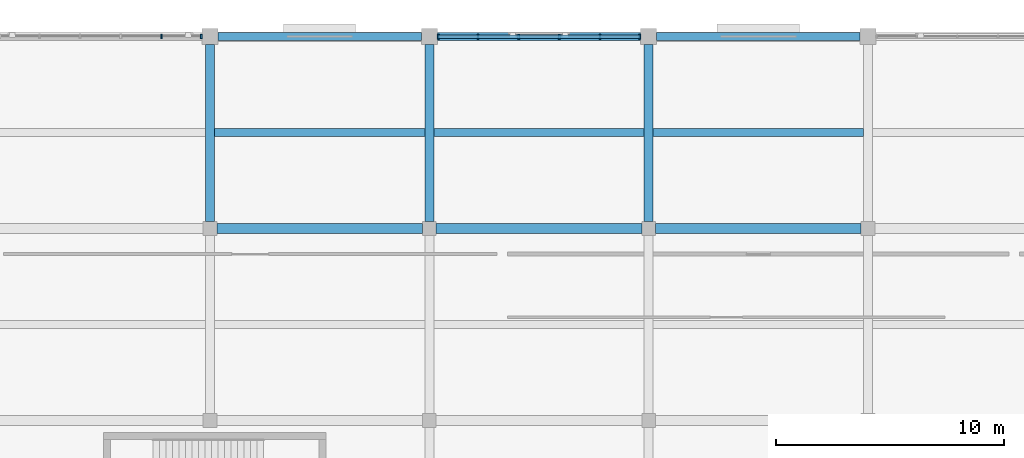
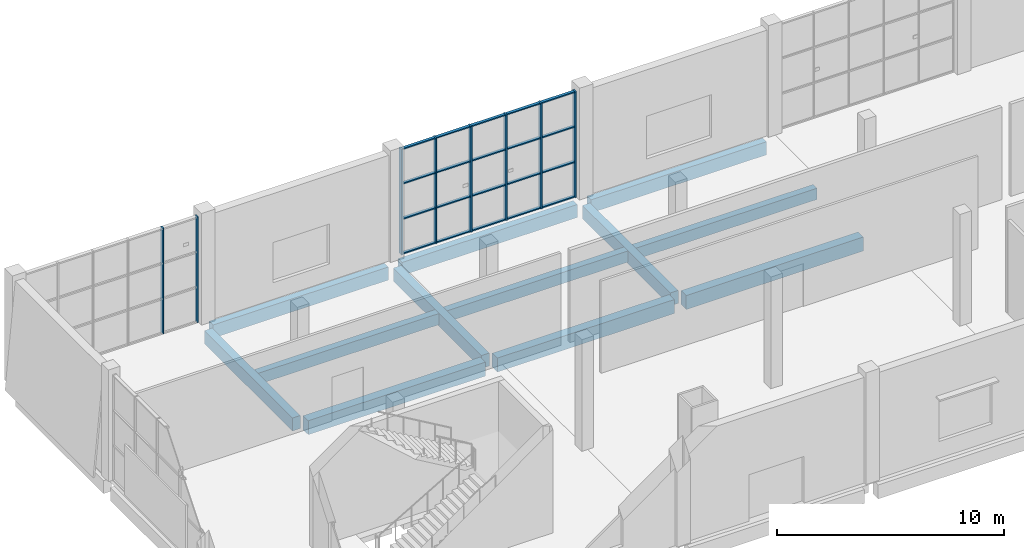
# One storey, part 31 of 84: 12 beams, 12 members, 2 elements without a shape of their own.
"""IFC4 building model written with IfcOpenShell, lengths in metres."""

from ifc_helpers import new_model, si_unit, direction, frame, origin, origin_2d, place, context, subcontext, project, spatial, rectangle, extrude, material, material_profile, profile_set, type_object, element, aggregate, save


model = new_model("IFC4")

# Units and contexts
model_context = context("Model", 3, precision=1e-05, world=origin(), true_north=direction((0.0, 1.0)))
body_context = subcontext(model_context, "Body", "Model", "MODEL_VIEW")
ifc_project = project(units=[si_unit("LENGTHUNIT", "METRE"), si_unit("AREAUNIT", "SQUARE_METRE"), si_unit("VOLUMEUNIT", "CUBIC_METRE"), si_unit("PLANEANGLEUNIT", "RADIAN"), si_unit("MASSUNIT", "GRAM", prefix="KILO")], contexts=[model_context])

# Site, building, storey
site_placement = place(None, origin())
site = spatial("IfcSite", under=ifc_project, at=site_placement, CompositionType="ELEMENT")
building_placement = place(site_placement, origin())
building = spatial("IfcBuilding", under=site, at=building_placement, Name="Shalvenor Court Art Gallery", CompositionType="ELEMENT")
storey_placement = place(building_placement, origin())
storey = spatial("IfcBuildingStorey", under=building, at=storey_placement, Name="L00", CompositionType="ELEMENT", Elevation=0.0)

# Beams
ifc_material_1 = material(Name="Concrete C40/50", Category="concrete")
ifc_material_profile_1 = material_profile(ifc_material_1, rectangle(XDim=0.449951171875, YDim=0.75, at=origin_2d()), Name="RC 450x750")
ifc_profile_set_1 = profile_set([ifc_material_profile_1], Name="Concrete C40/50")
beam_type_1 = type_object("IfcBeamType", Name="B-04", PredefinedType="BEAM", material=ifc_profile_set_1)
for number, where, z_axis, x_axis, name in (
    (1, (67.5, 114.0, -0.715087890625), (1.0, 0.0, 0.0), (0.0, 1.0, 0.0), "L00 Girder BM-L00-B-04-0263"),
    (2, (77.10009765625, 114.0, -0.715087890625), (1.0, 0.0, 0.0), (0.0, 1.0, 0.0), "L00 Girder BM-L00-B-04-0264"),
    (3, (86.699951171875, 114.0, -0.715087890625), (1.0, 0.0, 0.0), (0.0, 1.0, 0.0), "L00 Girder BM-L00-B-04-0265"),
):
    element("IfcBeam", number, at=place(storey_placement, frame(where, z_axis=z_axis, x_axis=x_axis)), inside=storey, type_object=beam_type_1, Name=name, PredefinedType="BEAM", context=body_context, shape_type="SweptSolid", body=[
        extrude(rectangle(XDim=0.449951171875, YDim=0.75, at=origin_2d()), origin(), (0.0, 0.0, 1.0), 9.0),
    ])
ifc_material_2 = material(Name="Concrete C40/50", Category="concrete")
ifc_material_profile_2 = material_profile(ifc_material_2, rectangle(XDim=0.39990234375, YDim=0.699951171875, at=origin_2d()), Name="RC 400x700")
ifc_profile_set_2 = profile_set([ifc_material_profile_2], Name="Concrete C40/50")
beam_type_2 = type_object("IfcBeamType", Name="B-05", PredefinedType="BEAM", material=ifc_profile_set_2)
for number, where, z_axis, x_axis, name in (
    (4, (67.199951171875, 114.300048828125, -0.68994140625), (0.0, 1.0, 0.0), (-1.0, 0.0, 0.0), "L00 Girder BM-L00-B-05-0057"),
    (5, (76.800048828125, 114.300048828125, -0.68994140625), (0.0, 1.0, 0.0), (-1.0, 0.0, 0.0), "L00 Girder BM-L00-B-05-0062"),
    (6, (86.39990234375, 114.300048828125, -0.68994140625), (0.0, 1.0, 0.0), (-1.0, 0.0, 0.0), "L00 Girder BM-L00-B-05-0065"),
):
    element("IfcBeam", number, at=place(storey_placement, frame(where, z_axis=z_axis, x_axis=x_axis)), inside=storey, type_object=beam_type_2, Name=name, PredefinedType="BEAM", context=body_context, shape_type="SweptSolid", body=[
        extrude(rectangle(XDim=0.39990234375, YDim=0.699951171875, at=origin_2d()), origin(), (0.0, 0.0, 1.0), 7.75),
    ])

# Curtain wall, members
ifc_material_3 = material(Name="Anodised aluminium and low-iron glass curtain wall", Category="aluminium")
curtain_wall_type_1 = type_object("IfcCurtainWallType", Name="CW-5x3-89-57-242", PredefinedType="USERDEFINED", material=ifc_material_3)
curtain_wall_1_placement = place(storey_placement, origin())
curtain_wall_1 = element("IfcCurtainWall", 7, at=curtain_wall_1_placement, inside=storey, type_object=curtain_wall_type_1, Name="L00 V2 Curtain Wall CW-L00-053", ObjectType="CURTAIN WALL", PredefinedType="USERDEFINED")
ifc_material_4 = material(Name="Anodised aluminium mullion", Category="aluminium")
ifc_material_profile_3 = material_profile(ifc_material_4, rectangle(XDim=0.070068359375, YDim=0.199951171875, at=origin_2d()), Name="CWM-02")
ifc_profile_set_3 = profile_set([ifc_material_profile_3], Name="Anodised aluminium mullion")
member_type_1 = type_object("IfcMemberType", Name="CWM-02", PredefinedType="MULLION", material=ifc_profile_set_3)
member_1_placement = place(storey_placement, frame((65.070068359375, 122.39990234375, 0.0), z_axis=(0.0, 0.0, 1.0), x_axis=(1.0, 0.0, 0.0)))
member_1 = element("IfcMember", 8, at=member_1_placement, type_object=member_type_1, Name="CW-5x3-89-57-242 mullion 5", PredefinedType="MULLION", context=body_context, shape_type="SweptSolid", body=[
    extrude(rectangle(XDim=0.070068359375, YDim=0.199951171875, at=origin_2d()), origin(), (0.0, 0.0, 1.0), 5.679931640625),
])
member_2_placement = place(storey_placement, frame((66.81494140625, 122.39990234375, 0.0), z_axis=(0.0, 0.0, 1.0), x_axis=(1.0, 0.0, 0.0)))
member_2 = element("IfcMember", 9, at=member_2_placement, type_object=member_type_1, Name="CW-5x3-89-57-242 mullion 6", PredefinedType="MULLION", context=body_context, shape_type="SweptSolid", body=[
    extrude(rectangle(XDim=0.070068359375, YDim=0.199951171875, at=origin_2d()), origin(), (0.0, 0.0, 1.0), 5.679931640625),
])
aggregate(curtain_wall_1, [member_1, member_2])

ifc_material_5 = material(Name="Anodised aluminium and low-iron glass curtain wall", Category="aluminium")
curtain_wall_type_2 = type_object("IfcCurtainWallType", Name="CW-5x3-89-57-412", PredefinedType="USERDEFINED", material=ifc_material_5)
curtain_wall_2_placement = place(storey_placement, origin())
curtain_wall_2 = element("IfcCurtainWall", 10, at=curtain_wall_2_placement, inside=storey, type_object=curtain_wall_type_2, Name="L00 V2 Curtain Wall CW-L00-054", ObjectType="CURTAIN WALL", PredefinedType="USERDEFINED")
ifc_material_6 = material(Name="Anodised aluminium mullion", Category="aluminium")
ifc_material_profile_4 = material_profile(ifc_material_6, rectangle(XDim=0.074951171875, YDim=0.219970703125, at=origin_2d()), Name="CWM-04")
ifc_profile_set_4 = profile_set([ifc_material_profile_4], Name="Anodised aluminium mullion")
member_type_2 = type_object("IfcMemberType", Name="CWM-04", PredefinedType="MULLION", material=ifc_profile_set_4)
member_3_placement = place(storey_placement, frame((77.1875, 122.39990234375, 0.0), z_axis=(0.0, 0.0, 1.0), x_axis=(1.0, 0.0, 0.0)))
member_3 = element("IfcMember", 11, at=member_3_placement, type_object=member_type_2, Name="CW-5x3-89-57-412 mullion 1", PredefinedType="MULLION", context=body_context, shape_type="SweptSolid", body=[
    extrude(rectangle(XDim=0.074951171875, YDim=0.219970703125, at=origin_2d()), origin(), (0.0, 0.0, 1.0), 5.679931640625),
])
member_4_placement = place(storey_placement, frame((78.929931640625, 122.39990234375, 0.0), z_axis=(0.0, 0.0, 1.0), x_axis=(1.0, 0.0, 0.0)))
member_4 = element("IfcMember", 12, at=member_4_placement, type_object=member_type_2, Name="CW-5x3-89-57-412 mullion 2", PredefinedType="MULLION", context=body_context, shape_type="SweptSolid", body=[
    extrude(rectangle(XDim=0.074951171875, YDim=0.219970703125, at=origin_2d()), origin(), (0.0, 0.0, 1.0), 5.679931640625),
])
member_5_placement = place(storey_placement, frame((80.7099609375, 122.39990234375, 0.0), z_axis=(0.0, 0.0, 1.0), x_axis=(1.0, 0.0, 0.0)))
member_5 = element("IfcMember", 13, at=member_5_placement, type_object=member_type_2, Name="CW-5x3-89-57-412 mullion 3", PredefinedType="MULLION", context=body_context, shape_type="SweptSolid", body=[
    extrude(rectangle(XDim=0.074951171875, YDim=0.219970703125, at=origin_2d()), origin(), (0.0, 0.0, 1.0), 5.679931640625),
])
member_6_placement = place(storey_placement, frame((82.489990234375, 122.39990234375, 0.0), z_axis=(0.0, 0.0, 1.0), x_axis=(1.0, 0.0, 0.0)))
member_6 = element("IfcMember", 14, at=member_6_placement, type_object=member_type_2, Name="CW-5x3-89-57-412 mullion 4", PredefinedType="MULLION", context=body_context, shape_type="SweptSolid", body=[
    extrude(rectangle(XDim=0.074951171875, YDim=0.219970703125, at=origin_2d()), origin(), (0.0, 0.0, 1.0), 5.679931640625),
])
member_7_placement = place(storey_placement, frame((84.27001953125, 122.39990234375, 0.0), z_axis=(0.0, 0.0, 1.0), x_axis=(1.0, 0.0, 0.0)))
member_7 = element("IfcMember", 15, at=member_7_placement, type_object=member_type_2, Name="CW-5x3-89-57-412 mullion 5", PredefinedType="MULLION", context=body_context, shape_type="SweptSolid", body=[
    extrude(rectangle(XDim=0.074951171875, YDim=0.219970703125, at=origin_2d()), origin(), (0.0, 0.0, 1.0), 5.679931640625),
])
member_8_placement = place(storey_placement, frame((86.012451171875, 122.39990234375, 0.0), z_axis=(0.0, 0.0, 1.0), x_axis=(1.0, 0.0, 0.0)))
member_8 = element("IfcMember", 16, at=member_8_placement, type_object=member_type_2, Name="CW-5x3-89-57-412 mullion 6", PredefinedType="MULLION", context=body_context, shape_type="SweptSolid", body=[
    extrude(rectangle(XDim=0.074951171875, YDim=0.219970703125, at=origin_2d()), origin(), (0.0, 0.0, 1.0), 5.679931640625),
])
ifc_material_7 = material(Name="Anodised aluminium transom", Category="aluminium")
ifc_material_profile_5 = material_profile(ifc_material_7, rectangle(XDim=0.14990234375, YDim=0.06005859375, at=origin_2d()), Name="CWT-01")
ifc_profile_set_5 = profile_set([ifc_material_profile_5], Name="Anodised aluminium transom")
member_type_3 = type_object("IfcMemberType", Name="CWT-01", PredefinedType="USERDEFINED", material=ifc_profile_set_5)
member_9_placement = place(storey_placement, frame((77.1875, 122.39990234375, 0.030029296875), z_axis=(1.0, 0.0, 0.0), x_axis=(0.0, 1.0, 0.0)))
member_9 = element("IfcMember", 17, at=member_9_placement, type_object=member_type_3, Name="CW-5x3-89-57-412 transom 1", ObjectType="TRANSOM", PredefinedType="USERDEFINED", context=body_context, shape_type="SweptSolid", body=[
    extrude(rectangle(XDim=0.14990234375, YDim=0.06005859375, at=origin_2d()), origin(), (0.0, 0.0, 1.0), 8.824951171875),
])
member_10_placement = place(storey_placement, frame((77.1875, 122.39990234375, 1.893310546875), z_axis=(1.0, 0.0, 0.0), x_axis=(0.0, 1.0, 0.0)))
member_10 = element("IfcMember", 18, at=member_10_placement, type_object=member_type_3, Name="CW-5x3-89-57-412 transom 2", ObjectType="TRANSOM", PredefinedType="USERDEFINED", context=body_context, shape_type="SweptSolid", body=[
    extrude(rectangle(XDim=0.14990234375, YDim=0.06005859375, at=origin_2d()), origin(), (0.0, 0.0, 1.0), 8.824951171875),
])
member_11_placement = place(storey_placement, frame((77.1875, 122.39990234375, 3.78662109375), z_axis=(1.0, 0.0, 0.0), x_axis=(0.0, 1.0, 0.0)))
member_11 = element("IfcMember", 19, at=member_11_placement, type_object=member_type_3, Name="CW-5x3-89-57-412 transom 3", ObjectType="TRANSOM", PredefinedType="USERDEFINED", context=body_context, shape_type="SweptSolid", body=[
    extrude(rectangle(XDim=0.14990234375, YDim=0.06005859375, at=origin_2d()), origin(), (0.0, 0.0, 1.0), 8.824951171875),
])
member_12_placement = place(storey_placement, frame((77.1875, 122.39990234375, 5.64990234375), z_axis=(1.0, 0.0, 0.0), x_axis=(0.0, 1.0, 0.0)))
member_12 = element("IfcMember", 20, at=member_12_placement, type_object=member_type_3, Name="CW-5x3-89-57-412 transom 4", ObjectType="TRANSOM", PredefinedType="USERDEFINED", context=body_context, shape_type="SweptSolid", body=[
    extrude(rectangle(XDim=0.14990234375, YDim=0.06005859375, at=origin_2d()), origin(), (0.0, 0.0, 1.0), 8.824951171875),
])
aggregate(curtain_wall_2, [member_3, member_4, member_5, member_6, member_7, member_8, member_9, member_10, member_11, member_12])

# Beams
ifc_material_8 = material(Name="Concrete C40/50", Category="concrete")
ifc_material_profile_6 = material_profile(ifc_material_8, rectangle(XDim=0.35009765625, YDim=0.60009765625, at=origin_2d()), Name="RC 350x600")
ifc_profile_set_6 = profile_set([ifc_material_profile_6], Name="Concrete C40/50")
beam_type_3 = type_object("IfcBeamType", Name="J-01", PredefinedType="JOIST", material=ifc_profile_set_6)
beam_1_placement = place(storey_placement, frame((67.39990234375, 118.199951171875, -0.639892578125), z_axis=(1.0, 0.0, 0.0), x_axis=(0.0, 1.0, 0.0)))
element("IfcBeam", 21, at=beam_1_placement, inside=storey, type_object=beam_type_3, Name="L00 Secondary Beam JST-L00-J-01-0311", PredefinedType="JOIST", context=body_context, shape_type="SweptSolid", body=[
    extrude(rectangle(XDim=0.35009765625, YDim=0.60009765625, at=origin_2d()), origin(), (0.0, 0.0, 1.0), 9.2001953125),
])
for number, where, z_axis, x_axis, name in (
    (22, (77.0, 118.199951171875, -0.639892578125), (1.0, 0.0, 0.0), (0.0, 1.0, 0.0), "L00 Secondary Beam JST-L00-J-01-0314"),
    (23, (86.60009765625, 118.199951171875, -0.639892578125), (1.0, 0.0, 0.0), (0.0, 1.0, 0.0), "L00 Secondary Beam JST-L00-J-01-0317"),
):
    element("IfcBeam", number, at=place(storey_placement, frame(where, z_axis=z_axis, x_axis=x_axis)), inside=storey, type_object=beam_type_3, Name=name, PredefinedType="JOIST", context=body_context, shape_type="SweptSolid", body=[
        extrude(rectangle(XDim=0.35009765625, YDim=0.60009765625, at=origin_2d()), origin(), (0.0, 0.0, 1.0), 9.199951171875),
    ])
ifc_material_9 = material(Name="Concrete C40/50", Category="concrete")
ifc_material_profile_7 = material_profile(ifc_material_9, rectangle(XDim=0.35009765625, YDim=0.699951171875, at=origin_2d()), Name="RC 350x700")
ifc_profile_set_7 = profile_set([ifc_material_profile_7], Name="Concrete C40/50")
beam_type_4 = type_object("IfcBeamType", Name="SP-01", PredefinedType="SPANDREL", material=ifc_profile_set_7)
beam_2_placement = place(storey_placement, frame((67.550048828125, 122.39990234375, -0.68994140625), z_axis=(1.0, 0.0, 0.0), x_axis=(0.0, 1.0, 0.0)))
element("IfcBeam", 24, at=beam_2_placement, inside=storey, type_object=beam_type_4, Name="L00 Spandrel Girder BM-L00-SP-01-0274", PredefinedType="SPANDREL", context=body_context, shape_type="SweptSolid", body=[
    extrude(rectangle(XDim=0.35009765625, YDim=0.699951171875, at=origin_2d()), origin(), (0.0, 0.0, 1.0), 8.89990234375),
])
beam_3_placement = place(storey_placement, frame((77.14990234375, 122.39990234375, -0.68994140625), z_axis=(1.0, 0.0, 0.0), x_axis=(0.0, 1.0, 0.0)))
element("IfcBeam", 25, at=beam_3_placement, inside=storey, type_object=beam_type_4, Name="L00 Spandrel Girder BM-L00-SP-01-0275", PredefinedType="SPANDREL", context=body_context, shape_type="SweptSolid", body=[
    extrude(rectangle(XDim=0.35009765625, YDim=0.699951171875, at=origin_2d()), origin(), (0.0, 0.0, 1.0), 8.900146484375),
])
beam_4_placement = place(storey_placement, frame((86.75, 122.39990234375, -0.68994140625), z_axis=(1.0, 0.0, 0.0), x_axis=(0.0, 1.0, 0.0)))
element("IfcBeam", 26, at=beam_4_placement, inside=storey, type_object=beam_type_4, Name="L00 Spandrel Girder BM-L00-SP-01-0276", PredefinedType="SPANDREL", context=body_context, shape_type="SweptSolid", body=[
    extrude(rectangle(XDim=0.35009765625, YDim=0.699951171875, at=origin_2d()), origin(), (0.0, 0.0, 1.0), 8.89990234375),
])

save(model, "model.ifc")
